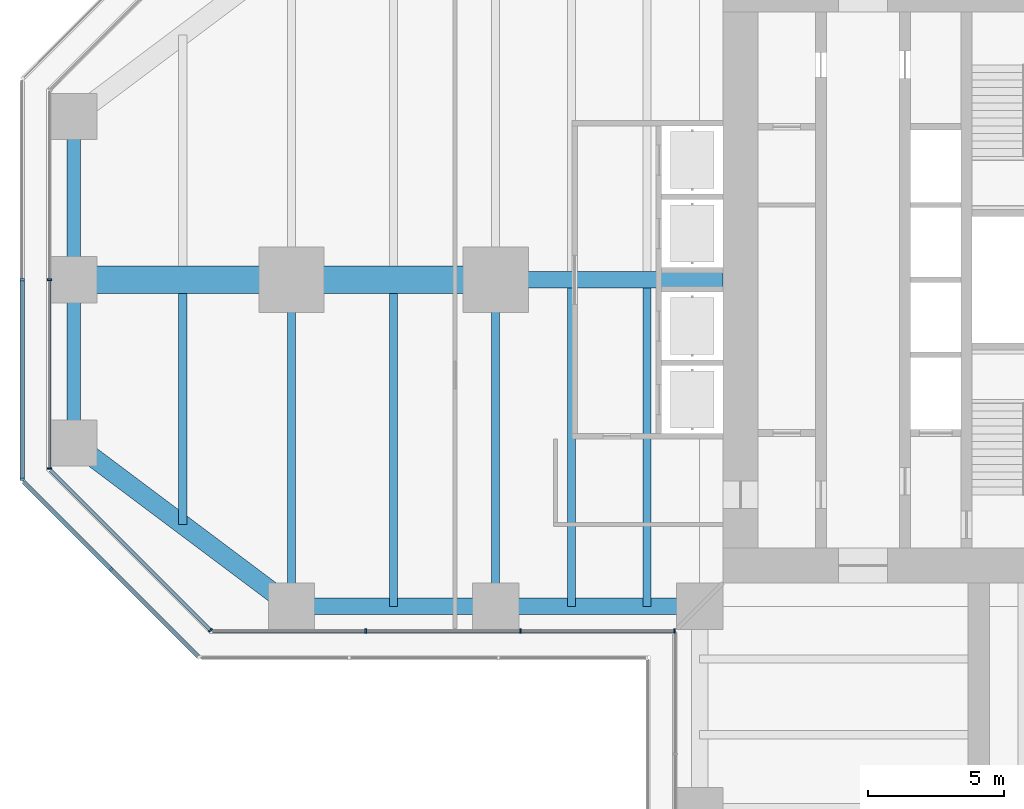
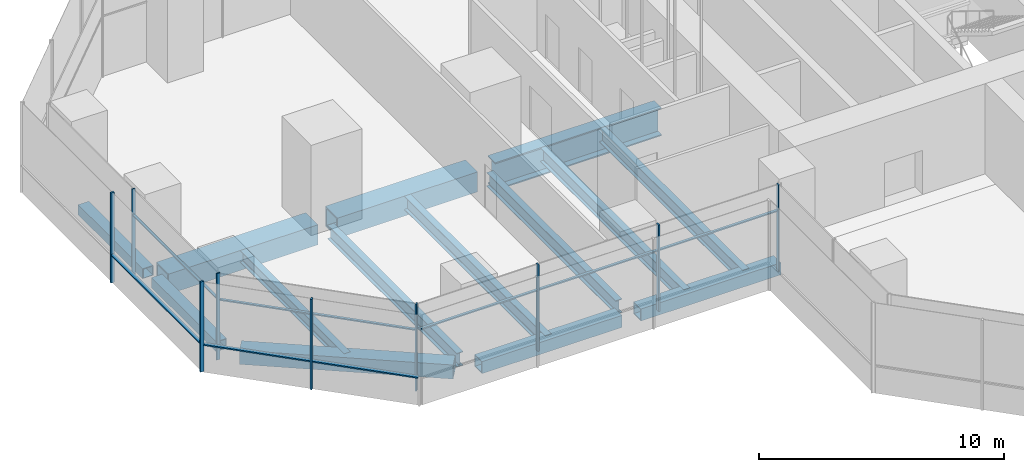
# One storey, part 3 of 34: 17 members, 14 beams, 5 elements without a shape of their own.
"""IFC4 building model written with IfcOpenShell, lengths in metres."""

from ifc_helpers import new_model, si_unit, direction, frame, origin, origin_2d, place, context, subcontext, project, spatial, rectangle, hollow_rectangle, i_section, extrude, material, material_profile, profile_set, type_object, element, aggregate, save


model = new_model("IFC4")

# Units and contexts
model_context = context("Model", 3, precision=1e-05, world=origin(), true_north=direction((0.0, 1.0)))
body_context = subcontext(model_context, "Body", "Model", "MODEL_VIEW")
ifc_project = project(units=[si_unit("LENGTHUNIT", "METRE"), si_unit("AREAUNIT", "SQUARE_METRE"), si_unit("VOLUMEUNIT", "CUBIC_METRE"), si_unit("PLANEANGLEUNIT", "RADIAN"), si_unit("MASSUNIT", "GRAM", prefix="KILO")], contexts=[model_context])

# Site, building, storey
site_placement = place(None, origin())
site = spatial("IfcSite", under=ifc_project, at=site_placement, CompositionType="ELEMENT")
building_placement = place(site_placement, origin())
building = spatial("IfcBuilding", under=site, at=building_placement, Name="Mizan Broadcast Tower", CompositionType="ELEMENT")
storey_placement = place(building_placement, frame((0.0, 0.0, 194.39990234375)))
storey = spatial("IfcBuildingStorey", under=building, at=storey_placement, Name="L45", CompositionType="ELEMENT", Elevation=194.39990234375)

# Beams
ifc_material_1 = material(Name="Steel S355", Category="steel")
ifc_material_profile_1 = material_profile(ifc_material_1, hollow_rectangle(XDim=0.5, YDim=0.5, WallThickness=0.030029296875, at=origin_2d()), Name="BOX 500x500x30")
ifc_profile_set_1 = profile_set([ifc_material_profile_1], Name="Steel S355")
beam_type_1 = type_object("IfcBeamType", Name="EDGE BEAM BOX 500x500x30", PredefinedType="SPANDREL", material=ifc_profile_set_1)
for number, where, z_axis, x_axis, name in (
    (1, (-35.0, 5.639892578125, -0.3798828125), (0.0, -1.0, 0.0), (1.0, 0.0, 0.0), "Edge beam BOX 500x500x30 L45 west arm"),
    (2, (-35.0, -5.639892578125, -0.3798828125), (0.0, 1.0, 0.0), (-1.0, 0.0, 0.0), "Edge beam BOX 500x500x30 L45 west arm"),
):
    element("IfcBeam", number, at=place(storey_placement, frame(where, z_axis=z_axis, x_axis=x_axis)), inside=storey, type_object=beam_type_1, Name=name, PredefinedType="SPANDREL", context=body_context, shape_type="SweptSolid", body=[
        extrude(hollow_rectangle(XDim=0.5, YDim=0.5, WallThickness=0.030029296875, at=origin_2d()), origin(), (0.0, 0.0, 1.0), 5.27978515625),
    ])
ifc_material_2 = material(Name="Steel S355", Category="steel")
ifc_material_profile_2 = material_profile(ifc_material_2, hollow_rectangle(XDim=0.60009765625, YDim=0.60009765625, WallThickness=0.0400390625, at=origin_2d()), Name="BOX 600x600x40")
ifc_profile_set_2 = profile_set([ifc_material_profile_2], Name="Steel S355")
beam_type_2 = type_object("IfcBeamType", Name="EDGE BEAM BOX 600x600x40", PredefinedType="SPANDREL", material=ifc_profile_set_2)
for number, where, z_axis, x_axis, name in (
    (3, (-12.449951171875, -12.0, -0.429931640625), (-1.0, 0.0, 0.0), (0.0, -1.0, 0.0), "Edge beam BOX 600x600x40 L45 west arm"),
    (4, (-19.949951171875, -12.0, -0.429931640625), (-1.0, 0.0, 0.0), (0.0, -1.0, 0.0), "Edge beam BOX 600x600x40 L45 west arm"),
):
    element("IfcBeam", number, at=place(storey_placement, frame(where, z_axis=z_axis, x_axis=x_axis)), inside=storey, type_object=beam_type_2, Name=name, PredefinedType="SPANDREL", context=body_context, shape_type="SweptSolid", body=[
        extrude(hollow_rectangle(XDim=0.60009765625, YDim=0.60009765625, WallThickness=0.0400390625, at=origin_2d()), origin(), (0.0, 0.0, 1.0), 6.60009765625),
    ])
ifc_material_3 = material(Name="Steel S355", Category="steel")
ifc_material_profile_3 = material_profile(ifc_material_3, hollow_rectangle(XDim=0.699951171875, YDim=0.699951171875, WallThickness=0.0400390625, at=origin_2d()), Name="BOX 700x700x40")
ifc_profile_set_3 = profile_set([ifc_material_profile_3], Name="Steel S355")
beam_type_3 = type_object("IfcBeamType", Name="EDGE BEAM BOX 700x700x40", PredefinedType="SPANDREL", material=ifc_profile_set_3)
beam_1_placement = place(storey_placement, frame((-27.47998046875, -11.639892578125, -0.47998046875), z_axis=(-0.800013316712, 0.599982243973, 0.0), x_axis=(-0.599982243973, -0.800013316712, 0.0)))
element("IfcBeam", 5, at=beam_1_placement, inside=storey, type_object=beam_type_3, Name="Edge beam BOX 700x700x40 L45 west arm", PredefinedType="SPANDREL", context=body_context, shape_type="SweptSolid", body=[
    extrude(hollow_rectangle(XDim=0.699951171875, YDim=0.699951171875, WallThickness=0.0400390625, at=origin_2d()), origin(), (0.0, 0.0, 1.0), 8.7998046875),
])
ifc_material_4 = material(Name="Steel S460", Category="steel")
ifc_material_profile_4 = material_profile(ifc_material_4, hollow_rectangle(XDim=1.0, YDim=1.0, WallThickness=0.080078125, at=origin_2d()), Name="BOX 1000x1000x80")
ifc_profile_set_4 = profile_set([ifc_material_profile_4], Name="Steel S460")
beam_type_4 = type_object("IfcBeamType", Name="GIRDER BOX 1000x1000x80", PredefinedType="BEAM", material=ifc_profile_set_4)
beam_2_placement = place(storey_placement, frame((-19.949951171875, 0.0, -0.6298828125), z_axis=(-1.0, 0.0, 0.0), x_axis=(0.0, -1.0, 0.0)))
element("IfcBeam", 6, at=beam_2_placement, inside=storey, type_object=beam_type_4, Name="Girder BOX 1000x1000x80 L45 west arm", PredefinedType="BEAM", context=body_context, shape_type="SweptSolid", body=[
    extrude(hollow_rectangle(XDim=1.0, YDim=1.0, WallThickness=0.080078125, at=origin_2d()), origin(), (0.0, 0.0, 1.0), 6.60009765625),
])
beam_3_placement = place(storey_placement, frame((-27.47998046875, 0.0, -0.6298828125), z_axis=(-1.0, 0.0, 0.0), x_axis=(0.0, -1.0, 0.0)))
element("IfcBeam", 7, at=beam_3_placement, inside=storey, type_object=beam_type_4, Name="Girder BOX 1000x1000x80 L45 west arm", PredefinedType="BEAM", context=body_context, shape_type="SweptSolid", body=[
    extrude(hollow_rectangle(XDim=1.0, YDim=1.0, WallThickness=0.080078125, at=origin_2d()), origin(), (0.0, 0.0, 1.0), 7.0400390625),
])
ifc_material_5 = material(Name="Steel S355", Category="steel")
ifc_material_profile_5 = material_profile(ifc_material_5, i_section(OverallWidth=0.300048828125, OverallDepth=0.68994140625, WebThickness=0.014404296875, FlangeThickness=0.027099609375, FilletRadius=0.027099609375, at=origin_2d()), Name="HEA 700")
ifc_profile_set_5 = profile_set([ifc_material_profile_5], Name="Steel S355")
beam_type_5 = type_object("IfcBeamType", Name="GIRDER HEA 700", PredefinedType="BEAM", material=ifc_profile_set_5)
for number, where, z_axis, x_axis, name in (
    (8, (-19.5, -11.280029296875, -0.474853515625), (0.0, 1.0, 0.0), (-1.0, 0.0, 0.0), "Girder HEA 700 L45 west arm"),
    (9, (-27.0, -11.280029296875, -0.474853515625), (0.0, 1.0, 0.0), (-1.0, 0.0, 0.0), "Girder HEA 700 L45 west arm"),
):
    element("IfcBeam", number, at=place(storey_placement, frame(where, z_axis=z_axis, x_axis=x_axis)), inside=storey, type_object=beam_type_5, Name=name, PredefinedType="BEAM", context=body_context, shape_type="SweptSolid", body=[
        extrude(i_section(OverallWidth=0.300048828125, OverallDepth=0.68994140625, WebThickness=0.014404296875, FlangeThickness=0.027099609375, FilletRadius=0.027099609375, at=origin_2d()), origin(), (0.0, 0.0, 1.0), 10.56005859375),
    ])
ifc_material_6 = material(Name="Steel S460", Category="steel")
ifc_material_profile_6 = material_profile(ifc_material_6, i_section(OverallWidth=0.60009765625, OverallDepth=1.39990234375, WebThickness=0.02490234375, FlangeThickness=0.06005859375, at=origin_2d()), Name="WPG 1400x600")
ifc_profile_set_6 = profile_set([ifc_material_profile_6], Name="Steel S460")
beam_type_6 = type_object("IfcBeamType", Name="GIRDER WPG 1400x600", PredefinedType="BEAM", material=ifc_profile_set_6)
beam_4_placement = place(storey_placement, frame((-11.14990234375, 0.0, -0.829833984375), z_axis=(-1.0, 0.0, 0.0), x_axis=(0.0, -1.0, 0.0)))
element("IfcBeam", 10, at=beam_4_placement, inside=storey, type_object=beam_type_6, Name="Girder WPG 1400x600 L45 west arm", PredefinedType="BEAM", context=body_context, shape_type="SweptSolid", body=[
    extrude(i_section(OverallWidth=0.60009765625, OverallDepth=1.39990234375, WebThickness=0.02490234375, FlangeThickness=0.06005859375, at=origin_2d()), origin(), (0.0, 0.0, 1.0), 7.84912109375),
])

# Curtain wall, members
ifc_material_7 = material(Name="Aluminium framed glazing", Category="aluminium")
curtain_wall_type_1 = type_object("IfcCurtainWallType", Name="INNER SKIN HIGH ZONE", PredefinedType="USERDEFINED", material=ifc_material_7)
curtain_wall_1_placement = place(storey_placement, origin())
curtain_wall_1 = element("IfcCurtainWall", 11, at=curtain_wall_1_placement, inside=storey, type_object=curtain_wall_type_1, Name="Inner skin high zone L45 W end", ObjectType="INNER SKIN HIGH ZONE", PredefinedType="USERDEFINED")
ifc_material_8 = material(Name="Aluminium, pale anodised", Category="aluminium")
ifc_material_profile_7 = material_profile(ifc_material_8, rectangle(XDim=0.159912109375, YDim=0.06005859375, at=origin_2d()), Name="MULLION 160x60")
ifc_profile_set_7 = profile_set([ifc_material_profile_7], Name="Aluminium, pale anodised")
member_type_1 = type_object("IfcMemberType", Name="INNER SKIN MULLION 60x160", PredefinedType="MULLION", material=ifc_profile_set_7)
member_1_placement = place(storey_placement, frame((-35.89990234375, 0.0, 0.0), z_axis=(0.0, 0.0, 1.0), x_axis=(1.0, 0.0, 0.0)))
member_1 = element("IfcMember", 12, at=member_1_placement, type_object=member_type_1, Name="Inner skin high zone L45 W end mullion 2", PredefinedType="MULLION", context=body_context, shape_type="SweptSolid", body=[
    extrude(rectangle(XDim=0.159912109375, YDim=0.06005859375, at=origin_2d()), origin(), (0.0, 0.0, 1.0), 4.320068359375),
])
member_2_placement = place(storey_placement, frame((-35.89990234375, -6.928466796875, 0.0), z_axis=(0.0, 0.0, 1.0), x_axis=(1.0, 0.0, 0.0)))
member_2 = element("IfcMember", 13, at=member_2_placement, type_object=member_type_1, Name="Inner skin high zone L45 W end mullion 3", PredefinedType="MULLION", context=body_context, shape_type="SweptSolid", body=[
    extrude(rectangle(XDim=0.159912109375, YDim=0.06005859375, at=origin_2d()), origin(), (0.0, 0.0, 1.0), 4.320068359375),
])

# Curtain wall, member
curtain_wall_2_placement = place(storey_placement, origin())
curtain_wall_2 = element("IfcCurtainWall", 14, at=curtain_wall_2_placement, inside=storey, type_object=curtain_wall_type_1, Name="Inner skin high zone L45 W chamfer", ObjectType="INNER SKIN HIGH ZONE", PredefinedType="USERDEFINED")
member_3_placement = place(storey_placement, frame((-29.979736328125, -12.87890625, 0.0), z_axis=(0.0, 0.0, 1.0), x_axis=(0.707106781187, 0.707106781187, 0.0)))
member_3 = element("IfcMember", 15, at=member_3_placement, type_object=member_type_1, Name="Inner skin high zone L45 W chamfer mullion 2", PredefinedType="MULLION", context=body_context, shape_type="SweptSolid", body=[
    extrude(rectangle(XDim=0.159912109375, YDim=0.06005859375, at=origin_2d()), origin(), (0.0, 0.0, 1.0), 4.320068359375),
])

# Curtain wall, members
curtain_wall_3_placement = place(storey_placement, origin())
curtain_wall_3 = element("IfcCurtainWall", 16, at=curtain_wall_3_placement, inside=storey, type_object=curtain_wall_type_1, Name="Inner skin high zone L45 W side", ObjectType="INNER SKIN HIGH ZONE", PredefinedType="USERDEFINED")
member_4_placement = place(storey_placement, frame((-24.2724609375, -12.89990234375, 0.0), z_axis=(0.0, 0.0, 1.0), x_axis=(0.0, 1.0, 0.0)))
member_4 = element("IfcMember", 17, at=member_4_placement, type_object=member_type_1, Name="Inner skin high zone L45 W side mullion 2", PredefinedType="MULLION", context=body_context, shape_type="SweptSolid", body=[
    extrude(rectangle(XDim=0.159912109375, YDim=0.06005859375, at=origin_2d()), origin(), (0.0, 0.0, 1.0), 4.320068359375),
])
member_5_placement = place(storey_placement, frame((-18.586181640625, -12.89990234375, 0.0), z_axis=(0.0, 0.0, 1.0), x_axis=(0.0, 1.0, 0.0)))
member_5 = element("IfcMember", 18, at=member_5_placement, type_object=member_type_1, Name="Inner skin high zone L45 W side mullion 3", PredefinedType="MULLION", context=body_context, shape_type="SweptSolid", body=[
    extrude(rectangle(XDim=0.159912109375, YDim=0.06005859375, at=origin_2d()), origin(), (0.0, 0.0, 1.0), 4.320068359375),
])
member_6_placement = place(storey_placement, frame((-12.929931640625, -12.89990234375, 0.0), z_axis=(0.0, 0.0, 1.0), x_axis=(0.0, 1.0, 0.0)))
member_6 = element("IfcMember", 19, at=member_6_placement, type_object=member_type_1, Name="Inner skin high zone L45 W side mullion 4", PredefinedType="MULLION", context=body_context, shape_type="SweptSolid", body=[
    extrude(rectangle(XDim=0.159912109375, YDim=0.06005859375, at=origin_2d()), origin(), (0.0, 0.0, 1.0), 4.320068359375),
])

# Member
ifc_material_9 = material(Name="Aluminium, pale anodised", Category="aluminium")
ifc_material_profile_8 = material_profile(ifc_material_9, rectangle(XDim=0.1201171875, YDim=0.06005859375, at=origin_2d()), Name="TRANSOM 120x60")
ifc_profile_set_8 = profile_set([ifc_material_profile_8], Name="Aluminium, pale anodised")
member_type_2 = type_object("IfcMemberType", Name="INNER SKIN TRANSOM 60x120", PredefinedType="USERDEFINED", material=ifc_profile_set_8)
member_7_placement = place(storey_placement, frame((-35.89990234375, -0.030029296875, 3.030029296875), z_axis=(0.0, -1.0, 0.0), x_axis=(1.0, 0.0, 0.0)))
member_7 = element("IfcMember", 20, at=member_7_placement, type_object=member_type_2, Name="Inner skin high zone L45 W end transom 2.1", ObjectType="TRANSOM", PredefinedType="USERDEFINED", context=body_context, shape_type="SweptSolid", body=[
    extrude(rectangle(XDim=0.1201171875, YDim=0.06005859375, at=origin_2d()), origin(), (0.0, 0.0, 1.0), 6.86865234375),
])

aggregate(curtain_wall_1, [member_1, member_2, member_7])

member_8_placement = place(storey_placement, frame((-35.857666015625, -7.0009765625, 3.030029296875), z_axis=(0.707106781187, -0.707106781187, 0.0), x_axis=(0.707106781187, 0.707106781187, 0.0)))
member_8 = element("IfcMember", 21, at=member_8_placement, type_object=member_type_2, Name="Inner skin high zone L45 W chamfer transom 1.1", ObjectType="TRANSOM", PredefinedType="USERDEFINED", context=body_context, shape_type="SweptSolid", body=[
    extrude(rectangle(XDim=0.1201171875, YDim=0.06005859375, at=origin_2d()), origin(), (0.0, 0.0, 1.0), 8.28271484375),
])

aggregate(curtain_wall_2, [member_3, member_8])

member_9_placement = place(storey_placement, frame((-29.898681640625, -12.89990234375, 3.030029296875), z_axis=(1.0, 0.0, 0.0), x_axis=(0.0, 1.0, 0.0)))
member_9 = element("IfcMember", 22, at=member_9_placement, type_object=member_type_2, Name="Inner skin high zone L45 W side transom 1.1", ObjectType="TRANSOM", PredefinedType="USERDEFINED", context=body_context, shape_type="SweptSolid", body=[
    extrude(rectangle(XDim=0.1201171875, YDim=0.06005859375, at=origin_2d()), origin(), (0.0, 0.0, 1.0), 5.59619140625),
])

member_10_placement = place(storey_placement, frame((-24.242431640625, -12.89990234375, 3.030029296875), z_axis=(1.0, 0.0, 0.0), x_axis=(0.0, 1.0, 0.0)))
member_10 = element("IfcMember", 23, at=member_10_placement, type_object=member_type_2, Name="Inner skin high zone L45 W side transom 2.1", ObjectType="TRANSOM", PredefinedType="USERDEFINED", context=body_context, shape_type="SweptSolid", body=[
    extrude(rectangle(XDim=0.1201171875, YDim=0.06005859375, at=origin_2d()), origin(), (0.0, 0.0, 1.0), 5.626220703125),
])

member_11_placement = place(storey_placement, frame((-18.55615234375, -12.89990234375, 3.030029296875), z_axis=(1.0, 0.0, 0.0), x_axis=(0.0, 1.0, 0.0)))
member_11 = element("IfcMember", 24, at=member_11_placement, type_object=member_type_2, Name="Inner skin high zone L45 W side transom 3.1", ObjectType="TRANSOM", PredefinedType="USERDEFINED", context=body_context, shape_type="SweptSolid", body=[
    extrude(rectangle(XDim=0.1201171875, YDim=0.06005859375, at=origin_2d()), origin(), (0.0, 0.0, 1.0), 5.59619140625),
])

aggregate(curtain_wall_3, [member_4, member_5, member_6, member_9, member_10, member_11])

# Curtain wall, members
ifc_material_10 = material(Name="Aluminium framed glazing", Category="aluminium")
curtain_wall_type_2 = type_object("IfcCurtainWallType", Name="OUTER SKIN", PredefinedType="USERDEFINED", material=ifc_material_10)
curtain_wall_4_placement = place(storey_placement, origin())
curtain_wall_4 = element("IfcCurtainWall", 25, at=curtain_wall_4_placement, inside=storey, type_object=curtain_wall_type_2, Name="Outer skin L45 W end", ObjectType="OUTER SKIN", PredefinedType="USERDEFINED")
ifc_material_11 = material(Name="Aluminium, pale anodised", Category="aluminium")
ifc_material_profile_9 = material_profile(ifc_material_11, rectangle(XDim=0.159912109375, YDim=0.080078125, at=origin_2d()), Name="MULLION 160x80")
ifc_profile_set_9 = profile_set([ifc_material_profile_9], Name="Aluminium, pale anodised")
member_type_3 = type_object("IfcMemberType", Name="OUTER SKIN MULLION 80x160", PredefinedType="MULLION", material=ifc_profile_set_9)
member_12_placement = place(storey_placement, frame((-36.89990234375, 0.0, 0.0), z_axis=(0.0, 0.0, 1.0), x_axis=(1.0, 0.0, 0.0)))
member_12 = element("IfcMember", 26, at=member_12_placement, type_object=member_type_3, Name="Outer skin L45 W end mullion 2", PredefinedType="MULLION", context=body_context, shape_type="SweptSolid", body=[
    extrude(rectangle(XDim=0.159912109375, YDim=0.080078125, at=origin_2d()), origin(), (0.0, 0.0, 1.0), 4.5),
])
member_13_placement = place(storey_placement, frame((-36.89990234375, -7.332763671875, 0.0), z_axis=(0.0, 0.0, 1.0), x_axis=(1.0, 0.0, 0.0)))
member_13 = element("IfcMember", 27, at=member_13_placement, type_object=member_type_3, Name="Outer skin L45 W end mullion 3", PredefinedType="MULLION", context=body_context, shape_type="SweptSolid", body=[
    extrude(rectangle(XDim=0.159912109375, YDim=0.080078125, at=origin_2d()), origin(), (0.0, 0.0, 1.0), 4.5),
])

# Curtain wall, member
curtain_wall_5_placement = place(storey_placement, origin())
curtain_wall_5 = element("IfcCurtainWall", 28, at=curtain_wall_5_placement, inside=storey, type_object=curtain_wall_type_2, Name="Outer skin L45 W chamfer", ObjectType="OUTER SKIN", PredefinedType="USERDEFINED")
member_14_placement = place(storey_placement, frame((-33.636474609375, -10.636474609375, 0.0), z_axis=(0.0, 0.0, 1.0), x_axis=(0.707106781187, 0.707106781187, 0.0)))
member_14 = element("IfcMember", 29, at=member_14_placement, type_object=member_type_3, Name="Outer skin L45 W chamfer mullion 2", PredefinedType="MULLION", context=body_context, shape_type="SweptSolid", body=[
    extrude(rectangle(XDim=0.159912109375, YDim=0.080078125, at=origin_2d()), origin(), (0.0, 0.0, 1.0), 4.5),
])

# Member
ifc_material_12 = material(Name="Aluminium, pale anodised", Category="aluminium")
ifc_material_profile_10 = material_profile(ifc_material_12, rectangle(XDim=0.159912109375, YDim=0.06005859375, at=origin_2d()), Name="TRANSOM 160x60")
ifc_profile_set_10 = profile_set([ifc_material_profile_10], Name="Aluminium, pale anodised")
member_type_4 = type_object("IfcMemberType", Name="OUTER SKIN TRANSOM 60x160", PredefinedType="USERDEFINED", material=ifc_profile_set_10)
member_15_placement = place(storey_placement, frame((-36.89990234375, -0.0400390625, 1.400146484375), z_axis=(0.0, -1.0, 0.0), x_axis=(1.0, 0.0, 0.0)))
member_15 = element("IfcMember", 30, at=member_15_placement, type_object=member_type_4, Name="Outer skin L45 W end transom 2.1", ObjectType="TRANSOM", PredefinedType="USERDEFINED", context=body_context, shape_type="SweptSolid", body=[
    extrude(rectangle(XDim=0.159912109375, YDim=0.06005859375, at=origin_2d()), origin(), (0.0, 0.0, 1.0), 7.252685546875),
])

aggregate(curtain_wall_4, [member_12, member_13, member_15])

member_16_placement = place(storey_placement, frame((-36.843505859375, -7.429443359375, 1.400146484375), z_axis=(0.707106781187, -0.707106781187, 0.0), x_axis=(0.707106781187, 0.707106781187, 0.0)))
member_16 = element("IfcMember", 31, at=member_16_placement, type_object=member_type_4, Name="Outer skin L45 W chamfer transom 1.1", ObjectType="TRANSOM", PredefinedType="USERDEFINED", context=body_context, shape_type="SweptSolid", body=[
    extrude(rectangle(XDim=0.159912109375, YDim=0.06005859375, at=origin_2d()), origin(), (0.0, 0.0, 1.0), 4.495361328125),
])

member_17_placement = place(storey_placement, frame((-33.608154296875, -10.664794921875, 1.400146484375), z_axis=(0.707106781187, -0.707106781187, 0.0), x_axis=(0.707106781187, 0.707106781187, 0.0)))
member_17 = element("IfcMember", 32, at=member_17_placement, type_object=member_type_4, Name="Outer skin L45 W chamfer transom 2.1", ObjectType="TRANSOM", PredefinedType="USERDEFINED", context=body_context, shape_type="SweptSolid", body=[
    extrude(rectangle(XDim=0.159912109375, YDim=0.06005859375, at=origin_2d()), origin(), (0.0, 0.0, 1.0), 4.495361328125),
])

aggregate(curtain_wall_5, [member_14, member_16, member_17])

# Beams
ifc_material_13 = material(Name="Steel S355", Category="steel")
ifc_material_profile_11 = material_profile(ifc_material_13, i_section(OverallWidth=0.300048828125, OverallDepth=0.590087890625, WebThickness=0.012939453125, FlangeThickness=0.02490234375, FilletRadius=0.027099609375, at=origin_2d()), Name="HEA 600")
ifc_profile_set_11 = profile_set([ifc_material_profile_11], Name="Steel S355")
beam_type_7 = type_object("IfcBeamType", Name="SECONDARY BEAM HEA 600", PredefinedType="JOIST", material=ifc_profile_set_11)
beam_5_placement = place(storey_placement, frame((-31.0, -9.0, -0.4248046875), z_axis=(0.0, 1.0, 0.0), x_axis=(-1.0, 0.0, 0.0)))
element("IfcBeam", 33, at=beam_5_placement, inside=storey, type_object=beam_type_7, Name="Secondary beam HEA 600 L45 west arm", PredefinedType="JOIST", context=body_context, shape_type="SweptSolid", body=[
    extrude(i_section(OverallWidth=0.300048828125, OverallDepth=0.590087890625, WebThickness=0.012939453125, FlangeThickness=0.02490234375, FilletRadius=0.027099609375, at=origin_2d()), origin(), (0.0, 0.0, 1.0), 8.5),
])
ifc_material_14 = material(Name="Steel S355", Category="steel")
ifc_material_profile_12 = material_profile(ifc_material_14, i_section(OverallWidth=0.300048828125, OverallDepth=0.68994140625, WebThickness=0.014404296875, FlangeThickness=0.027099609375, FilletRadius=0.027099609375, at=origin_2d()), Name="HEA 700")
ifc_profile_set_12 = profile_set([ifc_material_profile_12], Name="Steel S355")
beam_type_8 = type_object("IfcBeamType", Name="SECONDARY BEAM HEA 700", PredefinedType="JOIST", material=ifc_profile_set_12)
for number, where, z_axis, x_axis, name in (
    (34, (-13.933349609375, -12.0, -0.474853515625), (0.0, 1.0, 0.0), (-1.0, 0.0, 0.0), "Secondary beam HEA 700 L45 west arm"),
    (35, (-16.716552734375, -12.0, -0.474853515625), (0.0, 1.0, 0.0), (-1.0, 0.0, 0.0), "Secondary beam HEA 700 L45 west arm"),
):
    element("IfcBeam", number, at=place(storey_placement, frame(where, z_axis=z_axis, x_axis=x_axis)), inside=storey, type_object=beam_type_8, Name=name, PredefinedType="JOIST", context=body_context, shape_type="SweptSolid", body=[
        extrude(i_section(OverallWidth=0.300048828125, OverallDepth=0.68994140625, WebThickness=0.014404296875, FlangeThickness=0.027099609375, FilletRadius=0.027099609375, at=origin_2d()), origin(), (0.0, 0.0, 1.0), 11.699951171875),
    ])
beam_6_placement = place(storey_placement, frame((-23.25, -12.0, -0.474853515625), z_axis=(0.0, 1.0, 0.0), x_axis=(-1.0, 0.0, 0.0)))
element("IfcBeam", 36, at=beam_6_placement, inside=storey, type_object=beam_type_8, Name="Secondary beam HEA 700 L45 west arm", PredefinedType="JOIST", context=body_context, shape_type="SweptSolid", body=[
    extrude(i_section(OverallWidth=0.300048828125, OverallDepth=0.68994140625, WebThickness=0.014404296875, FlangeThickness=0.027099609375, FilletRadius=0.027099609375, at=origin_2d()), origin(), (0.0, 0.0, 1.0), 11.5),
])

save(model, "model.ifc")
